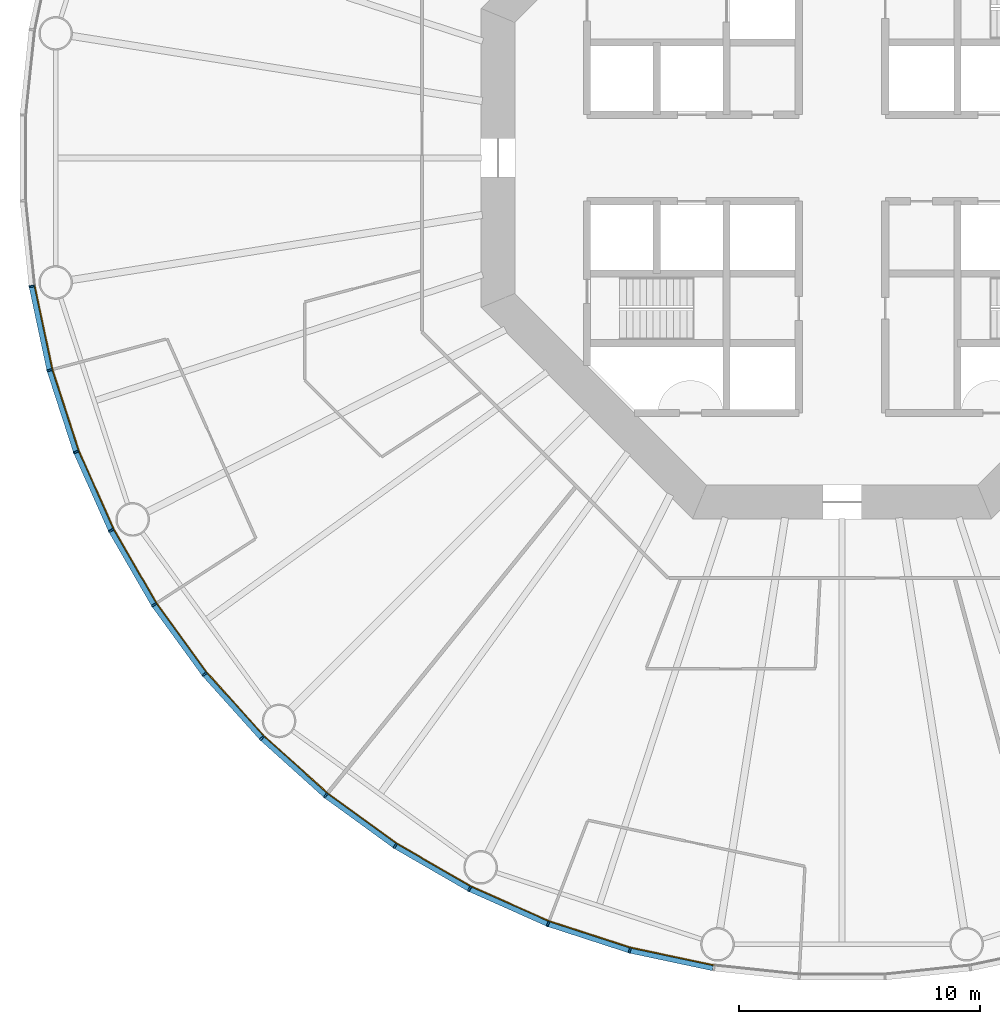
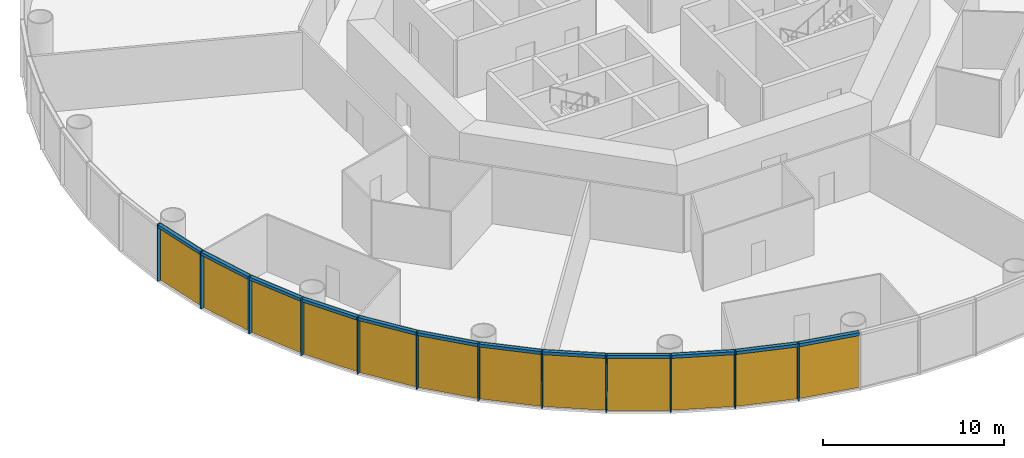
# One storey, part 7 of 13: 24 members, 4 curtain walls.
"""IFC4 building model written with IfcOpenShell, lengths in metres."""

import ifcopenshell
import ifcopenshell.guid

model = None  # the IFC model being written
_history = None  # IfcOwnerHistory: only IFC2X3 demands one
_inside = {}  # id of a spatial element -> (the spatial element, [elements in it])
_under = {}  # id of a project, library or spatial element -> (it, [spatial elements below it])
_declared = {}  # id of a project -> (the project, [libraries it declares])
_typed = {}  # id of a type object -> (the type object, [elements of that type])
_made_of = {}  # id of a material, layer set ... -> (it, [elements and type objects made of it])


def new_model(schema):
    """Start an empty IFC model of exactly this schema.

    Asked for "IFC4X3", IfcOpenShell would pick the latest addendum, in which some entities
    have other attributes; the version numbers below select the first issue.
    IFC2X3 requires an IfcOwnerHistory on every rooted entity: one is made here for all.
    """
    global model, _history
    if schema == "IFC4X3":
        model = ifcopenshell.file(schema_version=(4, 3, 0, 0))
    else:
        model = ifcopenshell.file(schema=schema)
    _inside.clear()
    _under.clear()
    _declared.clear()
    _typed.clear()
    _made_of.clear()
    _history = None
    if model.schema == "IFC2X3":
        org = make("IfcOrganization", Name="unknown")
        user = make(
            "IfcPersonAndOrganization",
            ThePerson=make("IfcPerson", FamilyName="unknown"),
            TheOrganization=org,
        )
        app = make(
            "IfcApplication",
            ApplicationDeveloper=org,
            Version="unknown",
            ApplicationFullName="unknown",
            ApplicationIdentifier="unknown",
        )
        _history = make(
            "IfcOwnerHistory",
            OwningUser=user,
            OwningApplication=app,
            ChangeAction="ADDED",
            CreationDate=0,
        )
    return model


def make(cls, **values):
    """One entity of the class cls with the attributes given. An attribute that is None is left unset."""
    return model.create_entity(
        cls, **{name: value for name, value in values.items() if value is not None}
    )


def rooted(cls, **values):
    """An entity with a GlobalId (a new one), such as an element, a storey or a relation."""
    return make(cls, GlobalId=ifcopenshell.guid.new(), OwnerHistory=_history, **values)


def si_unit(unit_type, name, prefix=None):
    """IfcSIUnit, for example si_unit("LENGTHUNIT", "METRE", prefix="MILLI")."""
    return make("IfcSIUnit", UnitType=unit_type, Prefix=prefix, Name=name)


def assignment(units):
    """IfcUnitAssignment: the units of a project."""
    return None if units is None else make("IfcUnitAssignment", Units=units)


def point(xyz):
    """IfcCartesianPoint."""
    return None if xyz is None else make("IfcCartesianPoint", Coordinates=xyz)


def direction(xyz):
    """IfcDirection."""
    return None if xyz is None else make("IfcDirection", DirectionRatios=xyz)


def frame(location, z_axis=None, x_axis=None):
    """IfcAxis2Placement3D, a coordinate frame: its origin and axes. An axis left out is left unset."""
    return make(
        "IfcAxis2Placement3D",
        Location=point(location),
        Axis=direction(z_axis),
        RefDirection=direction(x_axis),
    )


def frame_2d(location, x_axis=None):
    """IfcAxis2Placement2D, a coordinate frame in the plane: its origin and x axis."""
    return make(
        "IfcAxis2Placement2D", Location=point(location), RefDirection=direction(x_axis)
    )


def origin():
    """The frame at (0, 0, 0) with its axes left unset."""
    return frame((0.0, 0.0, 0.0))


def origin_2d():
    """The frame at (0, 0) in the plane with its x axis left unset."""
    return frame_2d((0.0, 0.0))


def place(relative_to, where):
    """IfcLocalPlacement: puts the frame where relative to a parent placement (None: the world)."""
    return make(
        "IfcLocalPlacement", PlacementRelTo=relative_to, RelativePlacement=where
    )


def context(
    kind, dimensions, precision=None, world=None, true_north=None, identifier=None
):
    """IfcGeometricRepresentationContext, for example the 3D "Model" context."""
    return make(
        "IfcGeometricRepresentationContext",
        ContextIdentifier=identifier,
        ContextType=kind,
        CoordinateSpaceDimension=dimensions,
        Precision=precision,
        WorldCoordinateSystem=world,
        TrueNorth=true_north,
    )


def subcontext(parent, identifier, kind, view, scale=None):
    """IfcGeometricRepresentationSubContext, for example "Body" below "Model"."""
    return make(
        "IfcGeometricRepresentationSubContext",
        ContextIdentifier=identifier,
        ContextType=kind,
        ParentContext=parent,
        TargetScale=scale,
        TargetView=view,
    )


def project(units=None, contexts=None):
    """IfcProject with its units and contexts."""
    return rooted(
        "IfcProject",
        Name="project",
        RepresentationContexts=contexts,
        UnitsInContext=assignment(units),
    )


def spatial(cls, under=None, at=None, **own):
    """A site, building, storey or space (cls), placed at a placement, below another one or the project."""
    s = rooted(cls, ObjectPlacement=at, **own)
    if under is not None:
        _under.setdefault(under.id(), (under, []))[1].append(s)
    return s


def polyline(points):
    """IfcPolyline through the points."""
    return make("IfcPolyline", Points=[point(p) for p in points])


def profile(cls, at=None, kind="AREA", **sizes):
    """A parametric profile (cls). Its sizes go by their IFC names, for example OverallWidth=200.0."""
    return make(cls, ProfileType=kind, Position=at, **sizes)


def rectangle(**sizes):
    """IfcRectangleProfileDef."""
    return profile("IfcRectangleProfileDef", **sizes)


def outline(outer, holes=None, kind="AREA"):
    """IfcArbitraryClosedProfileDef: a profile drawn as a closed curve; with holes, ...WithVoids."""
    if holes is None:
        return make("IfcArbitraryClosedProfileDef", ProfileType=kind, OuterCurve=outer)
    return make(
        "IfcArbitraryProfileDefWithVoids",
        ProfileType=kind,
        OuterCurve=outer,
        InnerCurves=holes,
    )


def extrude(swept, where, along, depth):
    """IfcExtrudedAreaSolid: the profile swept, set in the frame where, extruded along a direction by depth."""
    return make(
        "IfcExtrudedAreaSolid",
        SweptArea=swept,
        Position=where,
        ExtrudedDirection=direction(along),
        Depth=depth,
    )


def shape(context_of_items, identifier, shape_type, items):
    """IfcShapeRepresentation: the items that make up one representation, for example the "Body"."""
    return make(
        "IfcShapeRepresentation",
        ContextOfItems=context_of_items,
        RepresentationIdentifier=identifier,
        RepresentationType=shape_type,
        Items=items,
    )


def material(Name=None, Category=None):
    """IfcMaterial."""
    return make("IfcMaterial", Name=Name, Category=Category)


def layer(
    of_material, thickness, ventilated=None, Name=None, Category=None, Priority=None
):
    """IfcMaterialLayer: one layer of a wall or slab, of a material (None: an air gap)."""
    return make(
        "IfcMaterialLayer",
        Material=of_material,
        LayerThickness=thickness,
        IsVentilated=ventilated,
        Name=Name,
        Category=Category,
        Priority=Priority,
    )


def layer_set(layers, Name=None):
    """IfcMaterialLayerSet."""
    return make("IfcMaterialLayerSet", MaterialLayers=layers, LayerSetName=Name)


def material_profile(
    of_material, cross_section, Name=None, Category=None, Priority=None
):
    """IfcMaterialProfile: a cross section and its material."""
    return make(
        "IfcMaterialProfile",
        Name=Name,
        Material=of_material,
        Profile=cross_section,
        Priority=Priority,
        Category=Category,
    )


def profile_set(profiles, Name=None, composite=None):
    """IfcMaterialProfileSet."""
    return make(
        "IfcMaterialProfileSet",
        Name=Name,
        MaterialProfiles=profiles,
        CompositeProfile=composite,
    )


def made_of(thing, what):
    """Note that an element or type object is made of a material, layer set ...; save() writes the relation."""
    if what is not None:
        _made_of.setdefault(what.id(), (what, []))[1].append(thing)
    return thing


def type_object(cls, material=None, **own):
    """A type object (cls), such as IfcWallType, which elements share."""
    return made_of(rooted(cls, **own), material)


def element(
    cls,
    number,
    at=None,
    inside=None,
    cuts=None,
    type_object=None,
    material=None,
    context=None,
    identifier="Body",
    shape_type=None,
    held_by="IfcProductDefinitionShape",
    body=None,
    shapes=None,
    **own,
):
    """One element of the class cls, such as IfcWall. Its Tag is "e" and its number.

    at: its placement. inside: the storey or other place that contains it. cuts: it is an
    opening in that element (IfcRelVoidsElement). A single representation is given by context,
    identifier, shape_type and body (its items); several are given by shapes. held_by: the class
    of the entity that holds the representations. save() writes the other relations.
    """
    e = rooted(cls, Tag="e%d" % number, ObjectPlacement=at, **own)
    if body is not None:
        shapes = [shape(context, identifier, shape_type, body)]
    if shapes is not None:
        e.Representation = make(held_by, Representations=shapes)
    if inside is not None:
        _inside.setdefault(inside.id(), (inside, []))[1].append(e)
    if cuts is not None:
        rooted(
            "IfcRelVoidsElement", RelatingBuildingElement=cuts, RelatedOpeningElement=e
        )
    if type_object is not None:
        _typed.setdefault(type_object.id(), (type_object, []))[1].append(e)
    return made_of(e, material)


def aggregate(whole, parts):
    """IfcRelAggregates: a whole, such as a stair, and the parts it consists of."""
    return rooted("IfcRelAggregates", RelatingObject=whole, RelatedObjects=parts)


def save(model, path):
    """Write the relations noted so far, then the file.

    IfcRelAggregates (storeys below a building ...), IfcRelContainedInSpatialStructure (elements
    in a storey), IfcRelDefinesByType, IfcRelAssociatesMaterial and IfcRelDeclares: one each for
    every whole, place, type object, material and project.
    """
    for whole, parts in _under.values():
        aggregate(whole, parts)
    for where, things in _inside.values():
        rooted(
            "IfcRelContainedInSpatialStructure",
            RelatedElements=things,
            RelatingStructure=where,
        )
    for kind, things in _typed.values():
        rooted("IfcRelDefinesByType", RelatedObjects=things, RelatingType=kind)
    for what, things in _made_of.values():
        rooted("IfcRelAssociatesMaterial", RelatedObjects=things, RelatingMaterial=what)
    for by, libraries in _declared.values():
        rooted("IfcRelDeclares", RelatingContext=by, RelatedDefinitions=libraries)
    model.write(path)


model = new_model("IFC4")

# Units and contexts
model_context = context("Model", 3, precision=1e-05, world=origin(), true_north=direction((0.0, 1.0)))
body_context = subcontext(model_context, "Body", "Model", "MODEL_VIEW")
ifc_project = project(units=[si_unit("LENGTHUNIT", "METRE"), si_unit("AREAUNIT", "SQUARE_METRE"), si_unit("VOLUMEUNIT", "CUBIC_METRE"), si_unit("PLANEANGLEUNIT", "RADIAN"), si_unit("MASSUNIT", "GRAM", prefix="KILO")], contexts=[model_context])

# Member
ifc_material_1 = material(Name="Anodised aluminium", Category="aluminium")
ifc_material_profile_1 = material_profile(ifc_material_1, rectangle(XDim=0.074951171875, YDim=0.219970703125, at=origin_2d()), Name="Mullion 75 x 220 mm anodised aluminium")
ifc_profile_set_1 = profile_set([ifc_material_profile_1], Name="Anodised aluminium")
member_type_1 = type_object("IfcMemberType", Name="Mullion 75 x 220 mm anodised aluminium", PredefinedType="MULLION", material=ifc_profile_set_1)
site_placement = place(None, origin())
building_placement = place(site_placement, origin())
storey_placement = place(building_placement, frame((0.0, 0.0, 22.0)))
member_1_placement = place(storey_placement, frame((56.31005859375, 74.6640625, 0.0), z_axis=(0.0, 0.0, 1.0), x_axis=(0.15643446504, -0.987688340595, 0.0)))
member_1 = element("IfcMember", 1, at=member_1_placement, type_object=member_type_1, Name="MULLION L03-30", PredefinedType="MULLION", context=body_context, shape_type="SweptSolid", body=[
    extrude(rectangle(XDim=0.074951171875, YDim=0.219970703125, at=origin_2d()), origin(), (0.0, 0.0, 1.0), 3.85009765625),
])

member_2_placement = place(storey_placement, frame((57.05224609375, 71.171630859375, 0.0), z_axis=(0.0, 0.0, 1.0), x_axis=(0.258819045103, -0.965925826289, 0.0)))
member_2 = element("IfcMember", 2, at=member_2_placement, type_object=member_type_1, Name="MULLION L03-31", PredefinedType="MULLION", context=body_context, shape_type="SweptSolid", body=[
    extrude(rectangle(XDim=0.074951171875, YDim=0.219970703125, at=origin_2d()), origin(), (0.0, 0.0, 1.0), 3.85009765625),
])

member_3_placement = place(storey_placement, frame((58.155517578125, 67.776123046875, 0.0), z_axis=(0.0, 0.0, 1.0), x_axis=(0.358367949545, -0.933580426497, 0.0)))
member_3 = element("IfcMember", 3, at=member_3_placement, type_object=member_type_1, Name="MULLION L03-32", PredefinedType="MULLION", context=body_context, shape_type="SweptSolid", body=[
    extrude(rectangle(XDim=0.074951171875, YDim=0.219970703125, at=origin_2d()), origin(), (0.0, 0.0, 1.0), 3.85009765625),
])

member_4_placement = place(storey_placement, frame((59.607666015625, 64.514404296875, 0.0), z_axis=(0.0, 0.0, 1.0), x_axis=(0.45399049974, -0.891006524188, 0.0)))
member_4 = element("IfcMember", 4, at=member_4_placement, type_object=member_type_1, Name="MULLION L03-33", PredefinedType="MULLION", context=body_context, shape_type="SweptSolid", body=[
    extrude(rectangle(XDim=0.074951171875, YDim=0.219970703125, at=origin_2d()), origin(), (0.0, 0.0, 1.0), 3.85009765625),
])

member_5_placement = place(storey_placement, frame((61.39306640625, 61.42236328125, 0.0), z_axis=(0.0, 0.0, 1.0), x_axis=(0.544639035015, -0.838670567945, 0.0)))
member_5 = element("IfcMember", 5, at=member_5_placement, type_object=member_type_1, Name="MULLION L03-34", PredefinedType="MULLION", context=body_context, shape_type="SweptSolid", body=[
    extrude(rectangle(XDim=0.074951171875, YDim=0.219970703125, at=origin_2d()), origin(), (0.0, 0.0, 1.0), 3.85009765625),
])

member_6_placement = place(storey_placement, frame((63.491455078125, 58.533935546875, 0.0), z_axis=(0.0, 0.0, 1.0), x_axis=(0.62932039105, -0.777145961457, 0.0)))
member_6 = element("IfcMember", 6, at=member_6_placement, type_object=member_type_1, Name="MULLION L03-35", PredefinedType="MULLION", context=body_context, shape_type="SweptSolid", body=[
    extrude(rectangle(XDim=0.074951171875, YDim=0.219970703125, at=origin_2d()), origin(), (0.0, 0.0, 1.0), 3.85009765625),
])

member_7_placement = place(storey_placement, frame((65.880615234375, 55.880615234375, 0.0), z_axis=(0.0, 0.0, 1.0), x_axis=(0.707106781187, -0.707106781187, 0.0)))
member_7 = element("IfcMember", 7, at=member_7_placement, type_object=member_type_1, Name="MULLION L03-36", PredefinedType="MULLION", context=body_context, shape_type="SweptSolid", body=[
    extrude(rectangle(XDim=0.074951171875, YDim=0.219970703125, at=origin_2d()), origin(), (0.0, 0.0, 1.0), 3.85009765625),
])

member_8_placement = place(storey_placement, frame((68.533935546875, 53.491455078125, 0.0), z_axis=(0.0, 0.0, 1.0), x_axis=(0.777145961457, -0.62932039105, 0.0)))
member_8 = element("IfcMember", 8, at=member_8_placement, type_object=member_type_1, Name="MULLION L03-37", PredefinedType="MULLION", context=body_context, shape_type="SweptSolid", body=[
    extrude(rectangle(XDim=0.074951171875, YDim=0.219970703125, at=origin_2d()), origin(), (0.0, 0.0, 1.0), 3.85009765625),
])

member_9_placement = place(storey_placement, frame((71.42236328125, 51.39306640625, 0.0), z_axis=(0.0, 0.0, 1.0), x_axis=(0.838670567945, -0.544639035015, 0.0)))
member_9 = element("IfcMember", 9, at=member_9_placement, type_object=member_type_1, Name="MULLION L03-38", PredefinedType="MULLION", context=body_context, shape_type="SweptSolid", body=[
    extrude(rectangle(XDim=0.074951171875, YDim=0.219970703125, at=origin_2d()), origin(), (0.0, 0.0, 1.0), 3.85009765625),
])

member_10_placement = place(storey_placement, frame((74.514404296875, 49.607666015625, 0.0), z_axis=(0.0, 0.0, 1.0), x_axis=(0.891006524188, -0.45399049974, 0.0)))
member_10 = element("IfcMember", 10, at=member_10_placement, type_object=member_type_1, Name="MULLION L03-39", PredefinedType="MULLION", context=body_context, shape_type="SweptSolid", body=[
    extrude(rectangle(XDim=0.074951171875, YDim=0.219970703125, at=origin_2d()), origin(), (0.0, 0.0, 1.0), 3.85009765625),
])

member_11_placement = place(storey_placement, frame((77.776123046875, 48.155517578125, 0.0), z_axis=(0.0, 0.0, 1.0), x_axis=(0.933580426497, -0.358367949545, 0.0)))
member_11 = element("IfcMember", 11, at=member_11_placement, type_object=member_type_1, Name="MULLION L03-40", PredefinedType="MULLION", context=body_context, shape_type="SweptSolid", body=[
    extrude(rectangle(XDim=0.074951171875, YDim=0.219970703125, at=origin_2d()), origin(), (0.0, 0.0, 1.0), 3.85009765625),
])

member_12_placement = place(storey_placement, frame((81.171630859375, 47.05224609375, 0.0), z_axis=(0.0, 0.0, 1.0), x_axis=(0.965925826289, -0.258819045103, 0.0)))
member_12 = element("IfcMember", 12, at=member_12_placement, type_object=member_type_1, Name="MULLION L03-41", PredefinedType="MULLION", context=body_context, shape_type="SweptSolid", body=[
    extrude(rectangle(XDim=0.074951171875, YDim=0.219970703125, at=origin_2d()), origin(), (0.0, 0.0, 1.0), 3.85009765625),
])

ifc_material_2 = material(Name="Anodised aluminium", Category="aluminium")
ifc_material_profile_2 = material_profile(ifc_material_2, rectangle(XDim=0.219970703125, YDim=0.199951171875, at=origin_2d()), Name="Transom 200 x 220 mm anodised aluminium")
ifc_profile_set_2 = profile_set([ifc_material_profile_2], Name="Anodised aluminium")
member_type_2 = type_object("IfcMemberType", Name="Transom 200 x 220 mm anodised aluminium", PredefinedType="USERDEFINED", material=ifc_profile_set_2)
member_13_placement = place(storey_placement, frame((56.31884765625, 74.62158203125, 3.75), z_axis=(0.207920776701, -0.978145669426, 0.0), x_axis=(0.978145669426, 0.207920776701, 0.0)))
member_13 = element("IfcMember", 13, at=member_13_placement, type_object=member_type_2, Name="TRANSOM L03-30", ObjectType="TRANSOM", PredefinedType="USERDEFINED", context=body_context, shape_type="SweptSolid", body=[
    extrude(rectangle(XDim=0.219970703125, YDim=0.199951171875, at=origin_2d()), origin(), (0.0, 0.0, 1.0), 3.48388671875),
])

member_14_placement = place(storey_placement, frame((57.0654296875, 71.130615234375, 3.75), z_axis=(0.309029029702, -0.951052605696, 0.0), x_axis=(0.951052605696, 0.309029029702, 0.0)))
member_14 = element("IfcMember", 14, at=member_14_placement, type_object=member_type_2, Name="TRANSOM L03-31", ObjectType="TRANSOM", PredefinedType="USERDEFINED", context=body_context, shape_type="SweptSolid", body=[
    extrude(rectangle(XDim=0.219970703125, YDim=0.199951171875, at=origin_2d()), origin(), (0.0, 0.0, 1.0), 3.484130859375),
])

member_15_placement = place(storey_placement, frame((58.173095703125, 67.736572265625, 3.75), z_axis=(0.406736576304, -0.913545487371, 0.0), x_axis=(0.913545487371, 0.406736576304, 0.0)))
member_15 = element("IfcMember", 15, at=member_15_placement, type_object=member_type_2, Name="TRANSOM L03-32", ObjectType="TRANSOM", PredefinedType="USERDEFINED", context=body_context, shape_type="SweptSolid", body=[
    extrude(rectangle(XDim=0.219970703125, YDim=0.199951171875, at=origin_2d()), origin(), (0.0, 0.0, 1.0), 3.48388671875),
])

member_16_placement = place(storey_placement, frame((59.629150390625, 64.476806640625, 3.75), z_axis=(0.500005538244, -0.866022206254, 0.0), x_axis=(0.866022206254, 0.500005538244, 0.0)))
member_16 = element("IfcMember", 16, at=member_16_placement, type_object=member_type_2, Name="TRANSOM L03-33", ObjectType="TRANSOM", PredefinedType="USERDEFINED", context=body_context, shape_type="SweptSolid", body=[
    extrude(rectangle(XDim=0.219970703125, YDim=0.199951171875, at=origin_2d()), origin(), (0.0, 0.0, 1.0), 3.48388671875),
])

member_17_placement = place(storey_placement, frame((61.418212890625, 61.38720703125, 3.75), z_axis=(0.587821627006, -0.80899056535, 0.0), x_axis=(0.80899056535, 0.587821627006, 0.0)))
member_17 = element("IfcMember", 17, at=member_17_placement, type_object=member_type_2, Name="TRANSOM L03-34", ObjectType="TRANSOM", PredefinedType="USERDEFINED", context=body_context, shape_type="SweptSolid", body=[
    extrude(rectangle(XDim=0.219970703125, YDim=0.199951171875, at=origin_2d()), origin(), (0.0, 0.0, 1.0), 3.48388671875),
])

member_18_placement = place(storey_placement, frame((63.520263671875, 58.501708984375, 3.75), z_axis=(0.669138930974, -0.743137329876, 0.0), x_axis=(0.743137329876, 0.669138930974, 0.0)))
member_18 = element("IfcMember", 18, at=member_18_placement, type_object=member_type_2, Name="TRANSOM L03-35", ObjectType="TRANSOM", PredefinedType="USERDEFINED", context=body_context, shape_type="SweptSolid", body=[
    extrude(rectangle(XDim=0.219970703125, YDim=0.199951171875, at=origin_2d()), origin(), (0.0, 0.0, 1.0), 3.484130859375),
])

member_19_placement = place(storey_placement, frame((65.91259765625, 55.8515625, 3.75), z_axis=(0.743137329876, -0.669138930974, 0.0), x_axis=(0.669138930974, 0.743137329876, 0.0)))
member_19 = element("IfcMember", 19, at=member_19_placement, type_object=member_type_2, Name="TRANSOM L03-36", ObjectType="TRANSOM", PredefinedType="USERDEFINED", context=body_context, shape_type="SweptSolid", body=[
    extrude(rectangle(XDim=0.219970703125, YDim=0.199951171875, at=origin_2d()), origin(), (0.0, 0.0, 1.0), 3.484130859375),
])

member_20_placement = place(storey_placement, frame((68.56884765625, 53.466064453125, 3.75), z_axis=(0.80899056535, -0.587821627006, 0.0), x_axis=(0.587821627006, 0.80899056535, 0.0)))
member_20 = element("IfcMember", 20, at=member_20_placement, type_object=member_type_2, Name="TRANSOM L03-37", ObjectType="TRANSOM", PredefinedType="USERDEFINED", context=body_context, shape_type="SweptSolid", body=[
    extrude(rectangle(XDim=0.219970703125, YDim=0.199951171875, at=origin_2d()), origin(), (0.0, 0.0, 1.0), 3.48388671875),
])

member_21_placement = place(storey_placement, frame((71.459716796875, 51.37109375, 3.75), z_axis=(0.866022206254, -0.500005538244, 0.0), x_axis=(0.500005538244, 0.866022206254, 0.0)))
member_21 = element("IfcMember", 21, at=member_21_placement, type_object=member_type_2, Name="TRANSOM L03-38", ObjectType="TRANSOM", PredefinedType="USERDEFINED", context=body_context, shape_type="SweptSolid", body=[
    extrude(rectangle(XDim=0.219970703125, YDim=0.199951171875, at=origin_2d()), origin(), (0.0, 0.0, 1.0), 3.48388671875),
])

member_22_placement = place(storey_placement, frame((74.553955078125, 49.590087890625, 3.75), z_axis=(0.913545487371, -0.406736576304, 0.0), x_axis=(0.406736576304, 0.913545487371, 0.0)))
member_22 = element("IfcMember", 22, at=member_22_placement, type_object=member_type_2, Name="TRANSOM L03-39", ObjectType="TRANSOM", PredefinedType="USERDEFINED", context=body_context, shape_type="SweptSolid", body=[
    extrude(rectangle(XDim=0.219970703125, YDim=0.199951171875, at=origin_2d()), origin(), (0.0, 0.0, 1.0), 3.48388671875),
])

member_23_placement = place(storey_placement, frame((77.817138671875, 48.14208984375, 3.75), z_axis=(0.951052605696, -0.309029029702, 0.0), x_axis=(0.309029029702, 0.951052605696, 0.0)))
member_23 = element("IfcMember", 23, at=member_23_placement, type_object=member_type_2, Name="TRANSOM L03-40", ObjectType="TRANSOM", PredefinedType="USERDEFINED", context=body_context, shape_type="SweptSolid", body=[
    extrude(rectangle(XDim=0.219970703125, YDim=0.199951171875, at=origin_2d()), origin(), (0.0, 0.0, 1.0), 3.484130859375),
])

member_24_placement = place(storey_placement, frame((81.2138671875, 47.043212890625, 3.75), z_axis=(0.978145669426, -0.207920776701, 0.0), x_axis=(0.207920776701, 0.978145669426, 0.0)))
member_24 = element("IfcMember", 24, at=member_24_placement, type_object=member_type_2, Name="TRANSOM L03-41", ObjectType="TRANSOM", PredefinedType="USERDEFINED", context=body_context, shape_type="SweptSolid", body=[
    extrude(rectangle(XDim=0.219970703125, YDim=0.199951171875, at=origin_2d()), origin(), (0.0, 0.0, 1.0), 3.48388671875),
])

# Site, building, storey
site = spatial("IfcSite", under=ifc_project, at=site_placement, CompositionType="ELEMENT")
building = spatial("IfcBuilding", under=site, at=building_placement, Name="Entoto Ring Tower", CompositionType="ELEMENT")
storey = spatial("IfcBuildingStorey", under=building, at=storey_placement, Name="L03", CompositionType="ELEMENT", Elevation=22.0)

# Curtain wall
ifc_material_3 = material(Name="Clear low-iron glass", Category="glass")
ifc_layer = layer(ifc_material_3, 0.0400390625)
ifc_layer_set = layer_set([ifc_layer], Name="Clear low-iron glass")
curtain_wall_type = type_object("IfcCurtainWallType", Name="Curtain wall system CW1 glazing 40 mm", PredefinedType="NOTDEFINED", material=ifc_layer_set)
curtain_wall_1_placement = place(storey_placement, origin())
curtain_wall_1 = element("IfcCurtainWall", 25, at=curtain_wall_1_placement, inside=storey, type_object=curtain_wall_type, Name="CW1 L03-11", PredefinedType="NOTDEFINED", context=body_context, shape_type="SweptSolid", body=[
    extrude(outline(polyline([(56.418701171875, 74.68115234375), (57.158447265625, 71.2001953125), (58.25830078125, 67.8154296875), (59.705810546875, 64.564208984375), (59.741455078125, 64.58251953125), (58.295654296875, 67.829833984375), (57.197265625, 71.21044921875), (56.458251953125, 74.6875), (56.418701171875, 74.68115234375)])), origin(), (0.0, 0.0, 1.0), 3.85009765625),
])

aggregate(curtain_wall_1, [member_1, member_2, member_3, member_13, member_14, member_15])

curtain_wall_2_placement = place(storey_placement, origin())
curtain_wall_2 = element("IfcCurtainWall", 26, at=curtain_wall_2_placement, inside=storey, type_object=curtain_wall_type, Name="CW1 L03-12", PredefinedType="NOTDEFINED", context=body_context, shape_type="SweptSolid", body=[
    extrude(outline(polyline([(59.705810546875, 64.564208984375), (61.485107421875, 61.482177734375), (63.5771484375, 58.60302734375), (65.958251953125, 55.958251953125), (65.986572265625, 55.986572265625), (63.608154296875, 58.62841796875), (61.518798828125, 61.504150390625), (59.741455078125, 64.58251953125), (59.705810546875, 64.564208984375)])), origin(), (0.0, 0.0, 1.0), 3.85009765625),
])

aggregate(curtain_wall_2, [member_4, member_5, member_6, member_16, member_17, member_18])

curtain_wall_3_placement = place(storey_placement, origin())
curtain_wall_3 = element("IfcCurtainWall", 27, at=curtain_wall_3_placement, inside=storey, type_object=curtain_wall_type, Name="CW1 L03-13", PredefinedType="NOTDEFINED", context=body_context, shape_type="SweptSolid", body=[
    extrude(outline(polyline([(65.958251953125, 55.958251953125), (68.60302734375, 53.5771484375), (71.482177734375, 51.485107421875), (74.564208984375, 49.705810546875), (74.58251953125, 49.741455078125), (71.504150390625, 51.518798828125), (68.62841796875, 53.608154296875), (65.986572265625, 55.986572265625), (65.958251953125, 55.958251953125)])), origin(), (0.0, 0.0, 1.0), 3.85009765625),
])

aggregate(curtain_wall_3, [member_7, member_8, member_9, member_19, member_20, member_21])

curtain_wall_4_placement = place(storey_placement, origin())
curtain_wall_4 = element("IfcCurtainWall", 28, at=curtain_wall_4_placement, inside=storey, type_object=curtain_wall_type, Name="CW1 L03-14", PredefinedType="NOTDEFINED", context=body_context, shape_type="SweptSolid", body=[
    extrude(outline(polyline([(74.564208984375, 49.705810546875), (77.8154296875, 48.25830078125), (81.2001953125, 47.158447265625), (84.68115234375, 46.418701171875), (84.6875, 46.458251953125), (81.21044921875, 47.197265625), (77.829833984375, 48.295654296875), (74.58251953125, 49.741455078125), (74.564208984375, 49.705810546875)])), origin(), (0.0, 0.0, 1.0), 3.85009765625),
])

aggregate(curtain_wall_4, [member_10, member_11, member_12, member_22, member_23, member_24])

save(model, "model.ifc")
